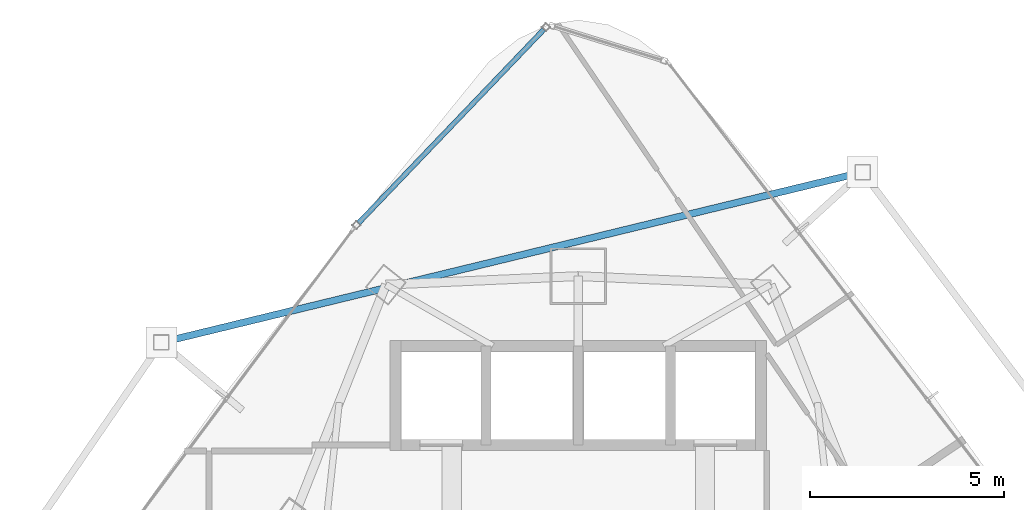
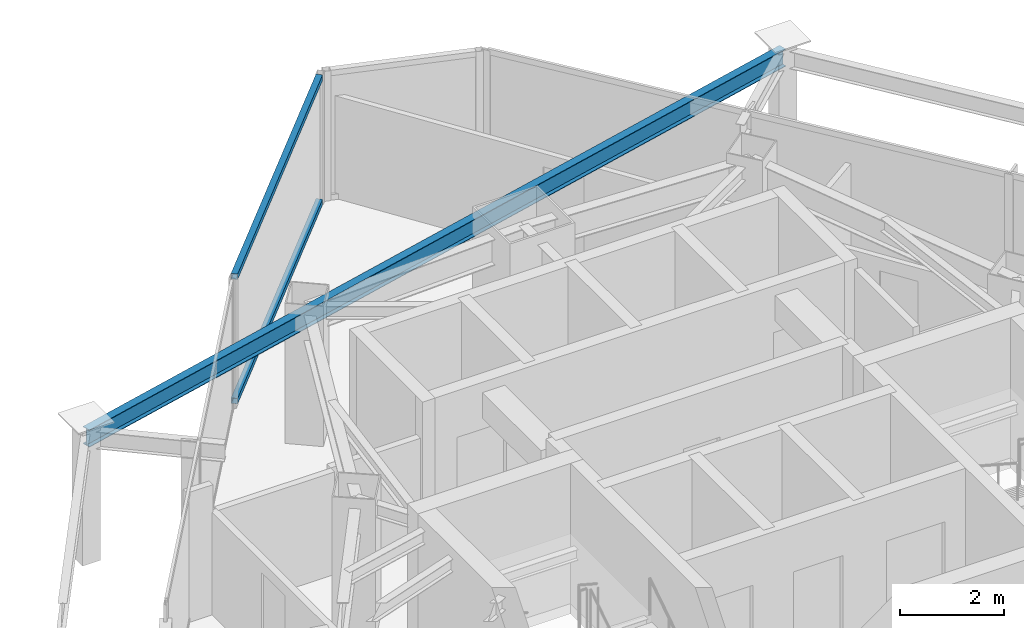
# One storey, part 20 of 29: 2 members, 1 beam, 1 element without a shape of its own.
"""IFC4 building model written with IfcOpenShell, lengths in metres."""

from ifc_helpers import new_model, si_unit, direction, frame, origin, origin_2d, place, context, subcontext, project, spatial, hollow_rectangle, i_section, extrude, material, layer, layer_set, material_profile, profile_set, type_object, element, aggregate, save


model = new_model("IFC4")

# Units and contexts
model_context = context("Model", 3, precision=1e-05, world=origin(), true_north=direction((0.0, 1.0)))
body_context = subcontext(model_context, "Body", "Model", "MODEL_VIEW")
ifc_project = project(units=[si_unit("LENGTHUNIT", "METRE"), si_unit("AREAUNIT", "SQUARE_METRE"), si_unit("VOLUMEUNIT", "CUBIC_METRE"), si_unit("PLANEANGLEUNIT", "RADIAN"), si_unit("MASSUNIT", "GRAM", prefix="KILO")], contexts=[model_context])

# Site, building, storey
site_placement = place(None, origin())
site = spatial("IfcSite", under=ifc_project, at=site_placement, CompositionType="ELEMENT")
building_placement = place(site_placement, origin())
building = spatial("IfcBuilding", under=site, at=building_placement, Name="Orvanel Arch Residences", CompositionType="ELEMENT")
storey_placement = place(building_placement, frame((0.0, 0.0, 167.14990234375)))
storey = spatial("IfcBuildingStorey", under=building, at=storey_placement, Name="L47", CompositionType="ELEMENT", Elevation=167.14990234375)

# Beam
ifc_material_1 = material(Name="Structural steel AS/NZS 3679.1 Grade 300 (300 MPa)", Category="steel")
ifc_material_profile_1 = material_profile(ifc_material_1, i_section(OverallWidth=0.177978515625, OverallDepth=0.406005859375, WebThickness=0.0078125, FlangeThickness=0.0126953125, at=origin_2d()), Name="410UB59.7")
ifc_profile_set_1 = profile_set([ifc_material_profile_1], Name="Structural steel AS/NZS 3679.1 Grade 300 (300 MPa)")
beam_type = type_object("IfcBeamType", Name="OB-410UB-EXT", PredefinedType="SPANDREL", material=ifc_profile_set_1)
beam_placement = place(storey_placement, frame((40.31494140625, 44.072998046875, 2.857177734375), z_axis=(-0.97175723661, -0.235982781354, 0.0), x_axis=(0.235982781354, -0.97175723661, 0.0)))
element("IfcBeam", 1, at=beam_placement, inside=storey, type_object=beam_type, Name="L47 Outer Perimeter Floor Ring Beam 12", PredefinedType="SPANDREL", context=body_context, shape_type="SweptSolid", body=[
    extrude(i_section(OverallWidth=0.177978515625, OverallDepth=0.406005859375, WebThickness=0.0078125, FlangeThickness=0.0126953125, at=origin_2d()), origin(), (0.0, 0.0, 1.0), 18.5654296875),
])

# Curtain wall, members
ifc_material_2 = material(Name="Bronze-anodised aluminium AA6063-T6", Category="aluminium")
ifc_layer = layer(ifc_material_2, 0.18994140625)
ifc_layer_set = layer_set([ifc_layer], Name="Bronze-anodised aluminium AA6063-T6")
curtain_wall_type = type_object("IfcCurtainWallType", Name="CW5-CRN-SYS", PredefinedType="NOTDEFINED", material=ifc_layer_set)
curtain_wall_placement = place(storey_placement, origin())
curtain_wall = element("IfcCurtainWall", 2, at=curtain_wall_placement, inside=storey, type_object=curtain_wall_type, Name="L47 CW5-CRN-SYS Unitised Curtain Wall", PredefinedType="NOTDEFINED")
ifc_material_profile_2 = material_profile(ifc_material_2, hollow_rectangle(XDim=0.1298828125, YDim=0.1298828125, WallThickness=0.00439453125, at=origin_2d()), Name="ALU130x130x4.5")
ifc_profile_set_2 = profile_set([ifc_material_profile_2], Name="Bronze-anodised aluminium AA6063-T6")
member_type = type_object("IfcMemberType", Name="TRN-130x130", PredefinedType="USERDEFINED", material=ifc_profile_set_2)
member_1_placement = place(storey_placement, frame((32.115234375, 47.74560546875, 0.065185546875), z_axis=(-0.691526319565, -0.722351264516, 0.0), x_axis=(0.722351264516, -0.691526319565, 0.0)))
member_1 = element("IfcMember", 3, at=member_1_placement, type_object=member_type, Name="CW-S5 transom 1.1", ObjectType="TRANSOM", PredefinedType="USERDEFINED", context=body_context, shape_type="SweptSolid", body=[
    extrude(hollow_rectangle(XDim=0.1298828125, YDim=0.1298828125, WallThickness=0.00439453125, at=origin_2d()), origin(), (0.0, 0.0, 1.0), 6.8984375),
])
member_2_placement = place(storey_placement, frame((32.115234375, 47.74560546875, 2.9951171875), z_axis=(-0.691526319565, -0.722351264516, 0.0), x_axis=(0.722351264516, -0.691526319565, 0.0)))
member_2 = element("IfcMember", 4, at=member_2_placement, type_object=member_type, Name="CW-S5 transom 1.2", ObjectType="TRANSOM", PredefinedType="USERDEFINED", context=body_context, shape_type="SweptSolid", body=[
    extrude(hollow_rectangle(XDim=0.1298828125, YDim=0.1298828125, WallThickness=0.00439453125, at=origin_2d()), origin(), (0.0, 0.0, 1.0), 6.8984375),
])
aggregate(curtain_wall, [member_1, member_2])

save(model, "model.ifc")
